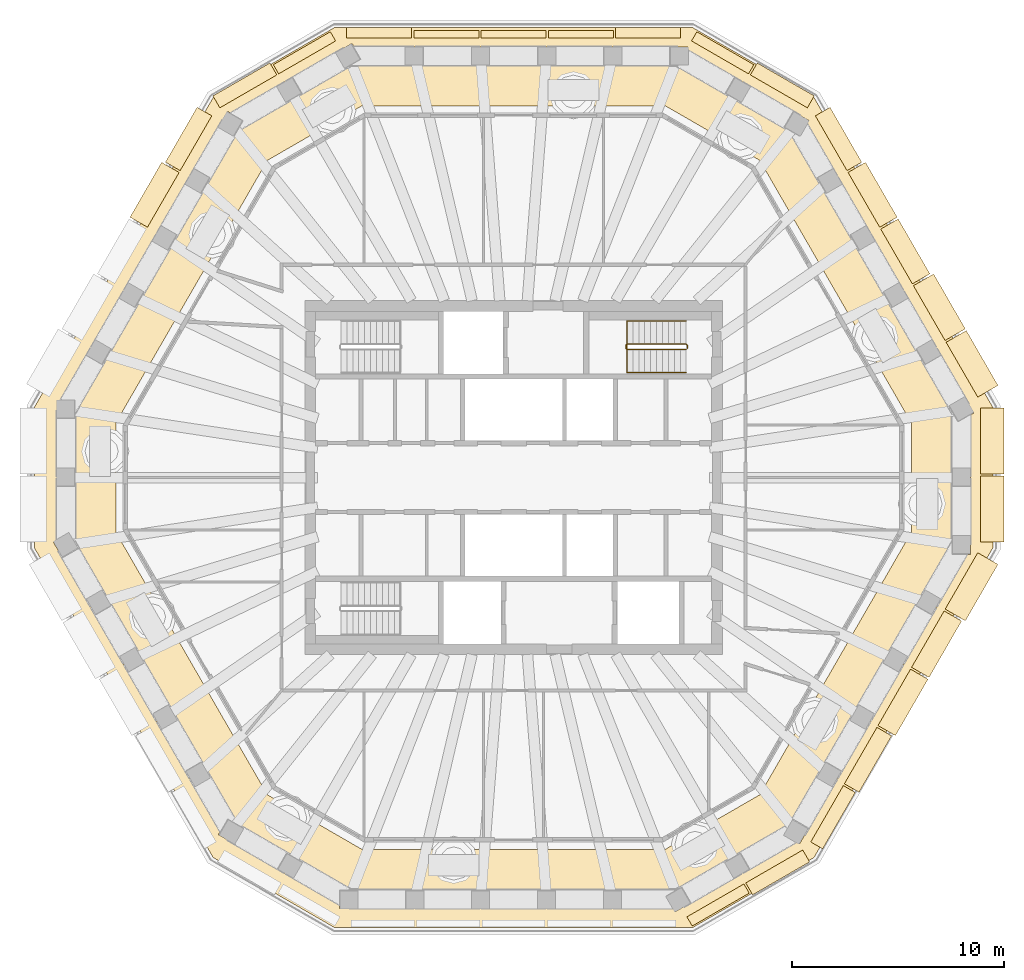
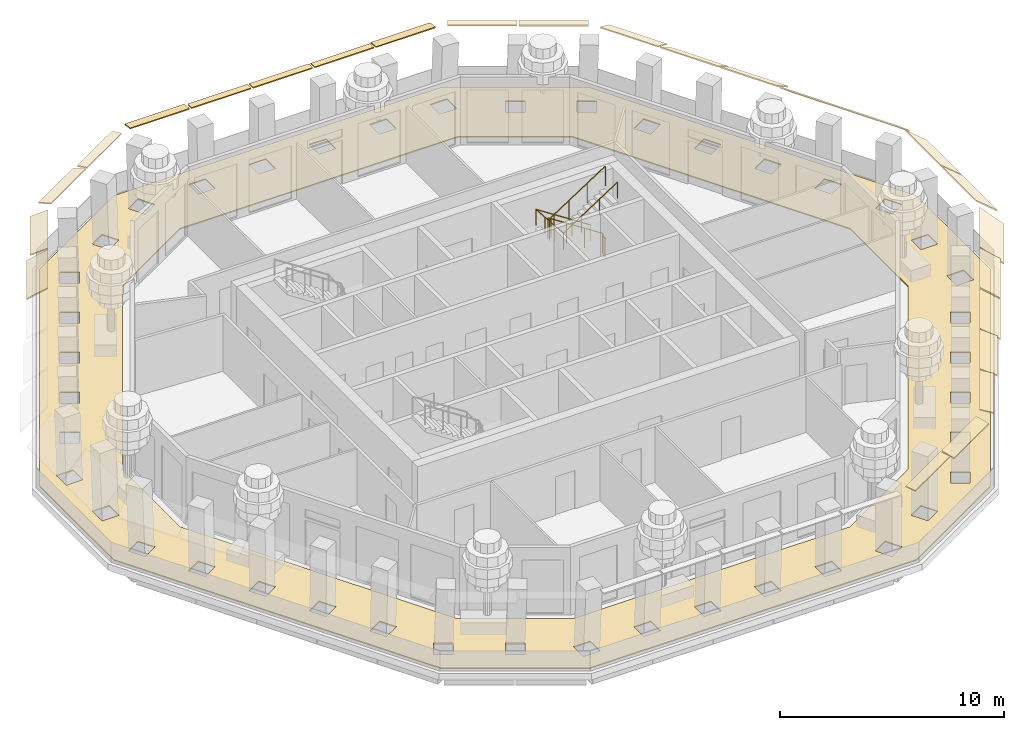
# One storey, part 10 of 13: 26 coverings, 2 railings.
"""IFC4 building model written with IfcOpenShell, lengths in metres."""

from ifc_helpers import new_model, si_unit, direction, frame, origin, origin_2d, place, context, subcontext, project, spatial, polyline, circle, outline, extrude, material, layer, layer_set, type_object, element, save


model = new_model("IFC4")

# Units and contexts
model_context = context("Model", 3, precision=1e-05, world=origin(), true_north=direction((0.0, 1.0)))
body_context = subcontext(model_context, "Body", "Model", "MODEL_VIEW")
ifc_project = project(units=[si_unit("LENGTHUNIT", "METRE"), si_unit("AREAUNIT", "SQUARE_METRE"), si_unit("VOLUMEUNIT", "CUBIC_METRE"), si_unit("PLANEANGLEUNIT", "RADIAN"), si_unit("MASSUNIT", "GRAM", prefix="KILO")], contexts=[model_context])

# Site, building, storey
site_placement = place(None, origin())
site = spatial("IfcSite", under=ifc_project, at=site_placement, CompositionType="ELEMENT")
building_placement = place(site_placement, origin())
building = spatial("IfcBuilding", under=site, at=building_placement, Name="Frailejon Research Tower", CompositionType="ELEMENT")
storey_placement = place(building_placement, frame((0.0, 0.0, 308.60009765625)))
storey = spatial("IfcBuildingStorey", under=building, at=storey_placement, Name="L68", CompositionType="ELEMENT", Elevation=308.60009765625)

# Coverings
ifc_material_1 = material(Name="Precast concrete C50/60", Category="concrete")
ifc_layer_1 = layer(ifc_material_1, 0.06005859375)
ifc_layer_set_1 = layer_set([ifc_layer_1], Name="Brim blade depth 1100")
covering_type_1 = type_object("IfcCoveringType", Name="Brim blade depth 1100", PredefinedType="CLADDING", material=ifc_layer_set_1)
for number, where, z_axis, x_axis, name in (
    (1, (22.050048828125, 0.07568359375, 3.849853515625), (0.0, -1.0, 0.0), (1.0, 0.0, 0.0), "Brim blade L68"),
    (2, (22.050048828125, 3.28173828125, 3.849853515625), (0.0, -1.0, 0.0), (1.0, 0.0, 0.0), "Brim blade L68"),
):
    element("IfcCovering", number, at=place(storey_placement, frame(where, z_axis=z_axis, x_axis=x_axis)), inside=storey, type_object=covering_type_1, Name=name, PredefinedType="CLADDING", context=body_context, shape_type="SweptSolid", body=[
        extrude(outline(polyline([(0.0, -0.078369140625), (1.10009765625, -1.001220703125), (1.10009765625, -0.923095703125), (0.0, 0.0), (0.0, -0.078369140625)])), origin(), (0.0, 0.0, 1.0), 3.106201171875),
    ])
for number, where, z_axis, x_axis, name in (
    (3, (20.418212890625, 6.385986328125, 3.849853515625), (0.499997360743, -0.866026927555, 0.0), (0.866026927555, 0.499997360743, 0.0), "Brim blade L68"),
    (4, (18.875244140625, 9.058349609375, 3.849853515625), (0.500021665056, -0.866012895097, 0.0), (0.866012895097, 0.500021665056, 0.0), "Brim blade L68"),
):
    element("IfcCovering", number, at=place(storey_placement, frame(where, z_axis=z_axis, x_axis=x_axis)), inside=storey, type_object=covering_type_1, Name=name, PredefinedType="CLADDING", context=body_context, shape_type="SweptSolid", body=[
        extrude(outline(polyline([(0.0, -0.078369140625), (1.10009765625, -1.001220703125), (1.10009765625, -0.923095703125), (0.0, 0.0), (0.0, -0.078369140625)])), origin(), (0.0, 0.0, 1.0), 2.98583984375),
    ])
covering_1_placement = place(storey_placement, frame((21.9111328125, -3.548583984375, 3.849853515625), z_axis=(-0.500013457105, -0.866017634182, 0.0), x_axis=(0.866017634182, -0.500013457105, 0.0)))
element("IfcCovering", 5, at=covering_1_placement, inside=storey, type_object=covering_type_1, Name="Brim blade L68", PredefinedType="CLADDING", context=body_context, shape_type="SweptSolid", body=[
    extrude(outline(polyline([(0.0, -0.078369140625), (1.10009765625, -1.001220703125), (1.10009765625, -0.923095703125), (0.0, 0.0), (0.0, -0.078369140625)])), origin(), (0.0, 0.0, 1.0), 3.072998046875),
])
ifc_material_2 = material(Name="Precast concrete C50/60", Category="concrete")
ifc_layer_2 = layer(ifc_material_2, 0.06005859375)
ifc_layer_set_2 = layer_set([ifc_layer_2], Name="Brim blade depth 350")
covering_type_2 = type_object("IfcCoveringType", Name="Brim blade depth 350", PredefinedType="CLADDING", material=ifc_layer_set_2)
for number, where, z_axis, x_axis, name in (
    (6, (1.636474609375, 20.75, 3.849853515625), (1.0, 0.0, 0.0), (0.0, 1.0, 0.0), "Brim blade L68"),
    (7, (-1.53662109375, 20.75, 3.849853515625), (1.0, 0.0, 0.0), (0.0, 1.0, 0.0), "Brim blade L68"),
    (8, (-4.70947265625, 20.75, 3.849853515625), (1.0, 0.0, 0.0), (0.0, 1.0, 0.0), "Brim blade L68"),
):
    element("IfcCovering", number, at=place(storey_placement, frame(where, z_axis=z_axis, x_axis=x_axis)), inside=storey, type_object=covering_type_2, Name=name, PredefinedType="CLADDING", context=body_context, shape_type="SweptSolid", body=[
        extrude(outline(polyline([(0.0, -0.06005859375), (0.35009765625, -0.06005859375), (0.35009765625, 0.0), (0.0, 0.0), (0.0, -0.06005859375)])), origin(), (0.0, 0.0, 1.0), 3.072998046875),
    ])
ifc_material_3 = material(Name="Precast concrete C50/60", Category="concrete")
ifc_layer_3 = layer(ifc_material_3, 0.06005859375)
ifc_layer_set_3 = layer_set([ifc_layer_3], Name="Brim blade depth 500")
covering_type_3 = type_object("IfcCoveringType", Name="Brim blade depth 500", PredefinedType="CLADDING", material=ifc_layer_set_3)
covering_2_placement = place(storey_placement, frame((8.400634765625, 20.611083984375, 3.849853515625), z_axis=(0.86602716254, -0.499996953734, 0.0), x_axis=(0.499996953734, 0.86602716254, 0.0)))
element("IfcCovering", 9, at=covering_2_placement, inside=storey, type_object=covering_type_3, Name="Brim blade L68", PredefinedType="CLADDING", context=body_context, shape_type="SweptSolid", body=[
    extrude(outline(polyline([(0.0, -0.060546875), (0.5, -0.130859375), (0.5, -0.0703125), (0.0, 0.0), (0.0, -0.060546875)])), origin(), (0.0, 0.0, 1.0), 3.10595703125),
])
for number, where, z_axis, x_axis, name in (
    (10, (4.809326171875, 20.75, 3.849853515625), (1.0, 0.0, 0.0), (0.0, 1.0, 0.0), "Brim blade L68"),
    (11, (-7.88232421875, 20.75, 3.849853515625), (1.0, 0.0, 0.0), (0.0, 1.0, 0.0), "Brim blade L68"),
):
    element("IfcCovering", number, at=place(storey_placement, frame(where, z_axis=z_axis, x_axis=x_axis)), inside=storey, type_object=covering_type_3, Name=name, PredefinedType="CLADDING", context=body_context, shape_type="SweptSolid", body=[
        extrude(outline(polyline([(0.0, -0.060546875), (0.5, -0.130859375), (0.5, -0.0703125), (0.0, 0.0), (0.0, -0.060546875)])), origin(), (0.0, 0.0, 1.0), 3.072998046875),
    ])
covering_3_placement = place(storey_placement, frame((-11.090576171875, 19.05810546875, 3.849853515625), z_axis=(0.86602716254, 0.499996953734, 0.0), x_axis=(-0.499996953734, 0.86602716254, 0.0)))
element("IfcCovering", 12, at=covering_3_placement, inside=storey, type_object=covering_type_3, Name="Brim blade L68", PredefinedType="CLADDING", context=body_context, shape_type="SweptSolid", body=[
    extrude(outline(polyline([(0.0, -0.060546875), (0.5, -0.130859375), (0.5, -0.0703125), (0.0, 0.0), (0.0, -0.060546875)])), origin(), (0.0, 0.0, 1.0), 3.10595703125),
])
covering_4_placement = place(storey_placement, frame((10.872802734375, -19.183837890625, 3.849853515625), z_axis=(-0.866034959906, -0.499983447946, 0.0), x_axis=(0.499983447946, -0.866034959906, 0.0)))
element("IfcCovering", 13, at=covering_4_placement, inside=storey, type_object=covering_type_3, Name="Brim blade L68", PredefinedType="CLADDING", context=body_context, shape_type="SweptSolid", body=[
    extrude(outline(polyline([(0.0, -0.060546875), (0.5, -0.130859375), (0.5, -0.0703125), (0.0, 0.0), (0.0, -0.060546875)])), origin(), (0.0, 0.0, 1.0), 3.106201171875),
])
ifc_material_4 = material(Name="Precast concrete C50/60", Category="concrete")
ifc_layer_4 = layer(ifc_material_4, 0.06005859375)
ifc_layer_set_4 = layer_set([ifc_layer_4], Name="Brim blade depth 650")
covering_type_4 = type_object("IfcCoveringType", Name="Brim blade depth 650", PredefinedType="CLADDING", material=ifc_layer_set_4)
for number, where, z_axis, x_axis, name in (
    (14, (11.17724609375, 19.008056640625, 3.849853515625), (0.86601365609, -0.500020347052, 0.0), (0.500020347052, 0.86601365609, 0.0), "Brim blade L68"),
    (15, (-13.8671875, 17.455078125, 3.849853515625), (0.86601365609, 0.500020347052, 0.0), (-0.500020347052, 0.86601365609, 0.0), "Brim blade L68"),
    (16, (13.6494140625, -17.580810546875, 3.849853515625), (-0.86601365609, -0.500020347052, 0.0), (0.500020347052, -0.86601365609, 0.0), "Brim blade L68"),
):
    element("IfcCovering", number, at=place(storey_placement, frame(where, z_axis=z_axis, x_axis=x_axis)), inside=storey, type_object=covering_type_4, Name=name, PredefinedType="CLADDING", context=body_context, shape_type="SweptSolid", body=[
        extrude(outline(polyline([(0.0, -0.0625), (0.64990234375, -0.248779296875), (0.64990234375, -0.186279296875), (0.0, 0.0), (0.0, -0.0625)])), origin(), (0.0, 0.0, 1.0), 3.106201171875),
    ])
covering_5_placement = place(storey_placement, frame((15.565185546875, -14.5400390625, 3.849853515625), z_axis=(-0.500013457105, -0.866017634182, 0.0), x_axis=(0.866017634182, -0.500013457105, 0.0)))
element("IfcCovering", 17, at=covering_5_placement, inside=storey, type_object=covering_type_4, Name="Brim blade L68", PredefinedType="CLADDING", context=body_context, shape_type="SweptSolid", body=[
    extrude(outline(polyline([(0.0, -0.0625), (0.64990234375, -0.248779296875), (0.64990234375, -0.186279296875), (0.0, 0.0), (0.0, -0.0625)])), origin(), (0.0, 0.0, 1.0), 3.072998046875),
])
ifc_material_5 = material(Name="Precast concrete C50/60", Category="concrete")
ifc_layer_5 = layer(ifc_material_5, 0.06005859375)
ifc_layer_set_5 = layer_set([ifc_layer_5], Name="Brim blade depth 800")
covering_type_5 = type_object("IfcCoveringType", Name="Brim blade depth 800", PredefinedType="CLADDING", material=ifc_layer_set_5)
for number, where, z_axis, x_axis, name in (
    (18, (14.24658203125, 17.07568359375, 3.849853515625), (0.500021665056, -0.866012895097, 0.0), (0.866012895097, 0.500021665056, 0.0), "Brim blade L68"),
    (19, (-15.739501953125, 14.48974609375, 3.849853515625), (0.500021665056, 0.866012895097, 0.0), (-0.866012895097, 0.500021665056, 0.0), "Brim blade L68"),
):
    element("IfcCovering", number, at=place(storey_placement, frame(where, z_axis=z_axis, x_axis=x_axis)), inside=storey, type_object=covering_type_5, Name=name, PredefinedType="CLADDING", context=body_context, shape_type="SweptSolid", body=[
        extrude(outline(polyline([(0.0, -0.065673828125), (0.800048828125, -0.421875), (0.800048828125, -0.356201171875), (0.0, 0.0), (0.0, -0.065673828125)])), origin(), (0.0, 0.0, 1.0), 2.98583984375),
    ])
covering_6_placement = place(storey_placement, frame((17.15185546875, -11.792236328125, 3.849853515625), z_axis=(-0.499999809775, -0.866025513611, 0.0), x_axis=(0.866025513611, -0.499999809775, 0.0)))
element("IfcCovering", 20, at=covering_6_placement, inside=storey, type_object=covering_type_5, Name="Brim blade L68", PredefinedType="CLADDING", context=body_context, shape_type="SweptSolid", body=[
    extrude(outline(polyline([(0.0, -0.065673828125), (0.800048828125, -0.421875), (0.800048828125, -0.356201171875), (0.0, 0.0), (0.0, -0.065673828125)])), origin(), (0.0, 0.0, 1.0), 3.072998046875),
])
ifc_material_6 = material(Name="Precast concrete C50/60", Category="concrete")
ifc_layer_6 = layer(ifc_material_6, 0.06005859375)
ifc_layer_set_6 = layer_set([ifc_layer_6], Name="Brim blade depth 950")
covering_type_6 = type_object("IfcCoveringType", Name="Brim blade depth 950", PredefinedType="CLADDING", material=ifc_layer_set_6)
for number, where, z_axis, x_axis, name in (
    (21, (17.33251953125, 11.730712890625, 3.849853515625), (0.499983328817, -0.866035028683, 0.0), (0.866035028683, 0.499983328817, 0.0), "Brim blade L68"),
    (22, (15.78955078125, 14.4033203125, 3.849853515625), (0.499997360743, -0.866026927555, 0.0), (0.866026927555, 0.499997360743, 0.0), "Brim blade L68"),
    (23, (-17.282470703125, 11.8173828125, 3.849853515625), (0.499997360743, 0.866026927555, 0.0), (-0.866026927555, 0.499997360743, 0.0), "Brim blade L68"),
):
    element("IfcCovering", number, at=place(storey_placement, frame(where, z_axis=z_axis, x_axis=x_axis)), inside=storey, type_object=covering_type_6, Name=name, PredefinedType="CLADDING", context=body_context, shape_type="SweptSolid", body=[
        extrude(outline(polyline([(0.0, -0.07080078125), (0.949951171875, -0.664306640625), (0.949951171875, -0.593505859375), (0.0, 0.0), (0.0, -0.07080078125)])), origin(), (0.0, 0.0, 1.0), 2.98583984375),
    ])
for number, where, z_axis, x_axis, name in (
    (24, (18.73828125, -9.04443359375, 3.849853515625), (-0.499989818873, -0.866031281781, 0.0), (0.866031281781, -0.499989818873, 0.0), "Brim blade L68"),
    (25, (20.32470703125, -6.29638671875, 3.849853515625), (-0.499999809775, -0.866025513611, 0.0), (0.866025513611, -0.499999809775, 0.0), "Brim blade L68"),
):
    element("IfcCovering", number, at=place(storey_placement, frame(where, z_axis=z_axis, x_axis=x_axis)), inside=storey, type_object=covering_type_6, Name=name, PredefinedType="CLADDING", context=body_context, shape_type="SweptSolid", body=[
        extrude(outline(polyline([(0.0, -0.07080078125), (0.949951171875, -0.664306640625), (0.949951171875, -0.593505859375), (0.0, 0.0), (0.0, -0.07080078125)])), origin(), (0.0, 0.0, 1.0), 3.072998046875),
    ])
ifc_material_7 = material(Name="Bituminous roofing membrane with gravel ballast")
ifc_layer_7 = layer(ifc_material_7, 0.06005859375)
ifc_layer_set_7 = layer_set([ifc_layer_7], Name="Roofing membrane and ballast 60")
covering_type_7 = type_object("IfcCoveringType", Name="Roofing membrane and ballast 60", PredefinedType="ROOFING", material=ifc_layer_set_7)
covering_7_placement = place(storey_placement, origin())
element("IfcCovering", 26, at=covering_7_placement, inside=storey, type_object=covering_type_7, Name="Roofing Setback terrace slab L68", PredefinedType="ROOFING", context=body_context, shape_type="SweptSolid", body=[
    extrude(outline(polyline([(14.182373046875, -17.935546875), (22.623779296875, -3.314453125), (22.623779296875, 3.314453125), (14.182373046875, 17.935546875), (8.44140625, 21.25), (-8.44140625, 21.25), (-14.182373046875, 17.935546875), (-22.623779296875, 3.314453125), (-22.623779296875, -3.314453125), (-14.182373046875, -17.935546875), (-8.44140625, -21.25), (8.44140625, -21.25), (14.182373046875, -17.935546875)]), holes=[polyline([(18.777587890625, 2.576416015625), (18.777587890625, -2.576416015625), (11.6201171875, -14.9736328125), (7.15771484375, -17.550048828125), (-7.15771484375, -17.550048828125), (-11.6201171875, -14.9736328125), (-18.777587890625, -2.576416015625), (-18.777587890625, 2.576416015625), (-11.6201171875, 14.9736328125), (-7.15771484375, 17.550048828125), (7.15771484375, 17.550048828125), (11.6201171875, 14.9736328125), (18.777587890625, 2.576416015625)]), polyline([(20.96875, 2.612060546875), (20.535400390625, 3.361328125), (20.540771484375, 3.37060546875), (21.287353515625, 3.802001953125), (21.720703125, 3.052734375), (21.71533203125, 3.04345703125), (20.96875, 2.612060546875)]), polyline([(21.55859375, -3.640869140625), (20.693115234375, -3.64111328125), (20.692138671875, -2.77880859375), (20.697509765625, -2.76953125), (21.56298828125, -2.769287109375), (21.56396484375, -3.631591796875), (21.55859375, -3.640869140625)]), polyline([(20.693115234375, -0.434814453125), (20.692138671875, 0.42724609375), (20.697509765625, 0.4365234375), (21.56298828125, 0.436767578125), (21.56396484375, -0.42529296875), (21.55859375, -0.434814453125), (20.693115234375, -0.434814453125)]), polyline([(20.1591796875, -5.753173828125), (19.729248046875, -6.497802734375), (18.975830078125, -6.062744140625), (18.981689453125, -6.052978515625), (19.41162109375, -5.308349609375), (20.164794921875, -5.743408203125), (20.1591796875, -5.753173828125)]), polyline([(20.156982421875, 5.739990234375), (19.4111328125, 5.3095703125), (18.977294921875, 6.060302734375), (18.984619140625, 6.068603515625), (19.73046875, 6.4990234375), (20.1640625, 5.748291015625), (20.156982421875, 5.739990234375)]), polyline([(17.853515625, 8.007080078125), (17.419189453125, 8.759521484375), (17.42822265625, 8.766357421875), (18.173095703125, 9.1962890625), (18.607666015625, 8.444091796875), (18.598388671875, 8.437255859375), (17.853515625, 8.007080078125)]), polyline([(18.177490234375, -9.186279296875), (18.17236328125, -9.1953125), (17.41845703125, -8.760986328125), (17.847900390625, -8.015869140625), (17.85302734375, -8.0068359375), (18.60693359375, -8.44091796875), (18.177490234375, -9.186279296875)]), polyline([(16.295654296875, 10.70556640625), (15.861083984375, 11.4580078125), (16.60595703125, 11.88818359375), (16.616455078125, 11.892822265625), (17.051025390625, 11.140380859375), (16.30615234375, 10.710205078125), (16.295654296875, 10.70556640625)]), polyline([(16.61474609375, -11.893310546875), (15.86083984375, -11.458984375), (16.290283203125, -10.7138671875), (16.29541015625, -10.70458984375), (17.04931640625, -11.138916015625), (16.6201171875, -11.88427734375), (16.61474609375, -11.893310546875)]), polyline([(14.74755859375, 13.40673828125), (14.737060546875, 13.40478515625), (14.3037109375, 14.15576171875), (15.0498046875, 14.58642578125), (15.060302734375, 14.58837890625), (15.493408203125, 13.83740234375), (14.74755859375, 13.40673828125)]), polyline([(15.056396484375, -14.591796875), (14.302978515625, -14.156494140625), (14.30859375, -14.146728515625), (14.738525390625, -13.40234375), (15.491943359375, -13.83740234375), (15.486083984375, -13.84716796875), (15.056396484375, -14.591796875)]), polyline([(13.492919921875, 16.103271484375), (12.746337890625, 16.534912109375), (13.17919921875, 17.284423828125), (13.18994140625, 17.284423828125), (13.936279296875, 16.85302734375), (13.50341796875, 16.103271484375), (13.492919921875, 16.103271484375)]), polyline([(13.5048828125, -17.279296875), (13.498779296875, -17.289794921875), (12.7451171875, -16.85498046875), (13.1748046875, -16.110595703125), (13.180908203125, -16.10009765625), (13.934326171875, -16.53466796875), (13.5048828125, -17.279296875)]), polyline([(10.71630859375, 17.706298828125), (9.969970703125, 18.137939453125), (10.402587890625, 18.8876953125), (10.413330078125, 18.8876953125), (11.159912109375, 18.4560546875), (10.72705078125, 17.706298828125), (10.71630859375, 17.706298828125)]), polyline([(11.150390625, -18.4619140625), (10.40380859375, -18.892822265625), (9.970703125, -18.143310546875), (9.97607421875, -18.134033203125), (10.722900390625, -17.703125), (11.156005859375, -18.45263671875), (11.150390625, -18.4619140625)]), polyline([(7.627197265625, -20.495849609375), (7.194091796875, -19.746337890625), (7.199462890625, -19.737060546875), (7.9462890625, -19.30615234375), (8.37939453125, -20.0556640625), (8.373779296875, -20.064697265625), (7.627197265625, -20.495849609375)]), polyline([(7.3525390625, 20.3349609375), (8.22412109375, 20.3349609375), (8.22412109375, 19.465087890625), (7.3525390625, 19.465087890625), (7.3525390625, 20.3349609375)]), polyline([(4.2373046875, 20.3349609375), (5.1083984375, 20.3349609375), (5.1083984375, 19.465087890625), (4.2373046875, 19.465087890625), (4.2373046875, 20.3349609375)]), polyline([(5.107421875, -20.32666015625), (5.103759765625, -20.3369140625), (4.236572265625, -20.33642578125), (4.23681640625, -19.47509765625), (4.240234375, -19.465087890625), (5.107421875, -19.46533203125), (5.107421875, -20.32666015625)]), polyline([(1.992919921875, 20.3349609375), (1.992919921875, 19.465087890625), (1.122314453125, 19.465087890625), (1.122314453125, 20.3349609375), (1.992919921875, 20.3349609375)]), polyline([(1.122314453125, -20.336669921875), (1.1220703125, -19.4765625), (1.123291015625, -19.46533203125), (1.9921875, -19.465087890625), (1.992431640625, -20.3251953125), (1.9912109375, -20.336669921875), (1.122314453125, -20.336669921875)]), polyline([(-1.122314453125, -20.336669921875), (-1.9912109375, -20.336669921875), (-1.992431640625, -20.3251953125), (-1.9921875, -19.465087890625), (-1.123291015625, -19.46533203125), (-1.1220703125, -19.4765625), (-1.122314453125, -20.336669921875)]), polyline([(-1.122314453125, 20.3349609375), (-1.122314453125, 19.465087890625), (-1.992919921875, 19.465087890625), (-1.992919921875, 20.3349609375), (-1.122314453125, 20.3349609375)]), polyline([(-4.236572265625, -20.33642578125), (-5.103759765625, -20.3369140625), (-5.107421875, -20.32666015625), (-5.107421875, -19.46533203125), (-4.240234375, -19.465087890625), (-4.23681640625, -19.47509765625), (-4.236572265625, -20.33642578125)]), polyline([(-5.1083984375, 20.3349609375), (-4.2373046875, 20.3349609375), (-4.2373046875, 19.465087890625), (-5.1083984375, 19.465087890625), (-5.1083984375, 20.3349609375)]), polyline([(-7.939697265625, 19.309326171875), (-7.950439453125, 19.309326171875), (-8.38330078125, 20.05908203125), (-7.63671875, 20.490478515625), (-7.626220703125, 20.490478515625), (-7.193359375, 19.740966796875), (-7.939697265625, 19.309326171875)]), polyline([(-8.216796875, -20.3369140625), (-8.222412109375, -20.32763671875), (-8.221923828125, -19.46533203125), (-7.3564453125, -19.465087890625), (-7.35107421875, -19.474365234375), (-7.351318359375, -20.336669921875), (-8.216796875, -20.3369140625)]), polyline([(-10.72705078125, 17.706298828125), (-11.159912109375, 18.4560546875), (-10.413330078125, 18.8876953125), (-10.402587890625, 18.8876953125), (-9.969970703125, 18.137939453125), (-10.71630859375, 17.706298828125), (-10.72705078125, 17.706298828125)]), polyline([(-10.40380859375, -18.892822265625), (-11.150390625, -18.4619140625), (-11.156005859375, -18.45263671875), (-10.722900390625, -17.703125), (-9.97607421875, -18.134033203125), (-9.970703125, -18.143310546875), (-10.40380859375, -18.892822265625)]), polyline([(-13.178955078125, 16.103515625), (-13.189453125, 16.103515625), (-13.936279296875, 16.534423828125), (-13.50390625, 17.284423828125), (-13.4931640625, 17.284423828125), (-12.74658203125, 16.853271484375), (-13.178955078125, 16.103515625)]), polyline([(-12.747314453125, -16.540283203125), (-13.18017578125, -17.289794921875), (-13.927001953125, -16.858642578125), (-13.932373046875, -16.849609375), (-13.499267578125, -16.10009765625), (-12.75244140625, -16.531005859375), (-12.747314453125, -16.540283203125)]), polyline([(-14.302978515625, -14.156494140625), (-15.056396484375, -14.591796875), (-15.486083984375, -13.84716796875), (-15.491943359375, -13.83740234375), (-14.738525390625, -13.40234375), (-14.30859375, -14.146728515625), (-14.302978515625, -14.156494140625)]), polyline([(-14.3037109375, 14.15576171875), (-14.737060546875, 13.40478515625), (-14.74755859375, 13.40673828125), (-15.493408203125, 13.83740234375), (-15.060302734375, 14.58837890625), (-15.0498046875, 14.58642578125), (-14.3037109375, 14.15576171875)]), polyline([(-15.86083984375, -11.458984375), (-16.61474609375, -11.893310546875), (-16.6201171875, -11.88427734375), (-17.04931640625, -11.138916015625), (-16.29541015625, -10.70458984375), (-16.290283203125, -10.7138671875), (-15.86083984375, -11.458984375)]), polyline([(-15.861083984375, 11.4580078125), (-16.295654296875, 10.70556640625), (-16.30615234375, 10.710205078125), (-17.051025390625, 11.140380859375), (-16.616455078125, 11.892822265625), (-16.60595703125, 11.88818359375), (-15.861083984375, 11.4580078125)]), polyline([(-18.17236328125, -9.1953125), (-18.177490234375, -9.186279296875), (-18.60693359375, -8.44091796875), (-17.85302734375, -8.0068359375), (-17.847900390625, -8.015869140625), (-17.41845703125, -8.760986328125), (-18.17236328125, -9.1953125)]), polyline([(-17.853515625, 8.007080078125), (-18.598388671875, 8.437255859375), (-18.607666015625, 8.444091796875), (-18.173095703125, 9.1962890625), (-17.42822265625, 8.766357421875), (-17.419189453125, 8.759521484375), (-17.853515625, 8.007080078125)]), polyline([(-19.729248046875, -6.497802734375), (-20.1591796875, -5.753173828125), (-20.164794921875, -5.743408203125), (-19.41162109375, -5.308349609375), (-18.981689453125, -6.052978515625), (-18.975830078125, -6.062744140625), (-19.729248046875, -6.497802734375)]), polyline([(-19.4111328125, 5.3095703125), (-20.156982421875, 5.739990234375), (-20.1640625, 5.748291015625), (-19.73046875, 6.4990234375), (-18.984619140625, 6.068603515625), (-18.977294921875, 6.060302734375), (-19.4111328125, 5.3095703125)]), polyline([(-20.533447265625, -3.365234375), (-21.287109375, -3.800048828125), (-21.293212890625, -3.78955078125), (-21.72265625, -3.045166015625), (-20.968994140625, -2.6103515625), (-20.962890625, -2.620849609375), (-20.533447265625, -3.365234375)]), polyline([(-20.692138671875, 0.42724609375), (-20.693115234375, -0.434814453125), (-21.55859375, -0.434814453125), (-21.56396484375, -0.42529296875), (-21.56298828125, 0.436767578125), (-20.697509765625, 0.4365234375), (-20.692138671875, 0.42724609375)]), polyline([(-20.692138671875, 3.63330078125), (-20.693115234375, 2.771240234375), (-21.55859375, 2.771484375), (-21.56396484375, 2.78076171875), (-21.56298828125, 3.642822265625), (-20.697509765625, 3.642578125), (-20.692138671875, 3.63330078125)])]), origin(), (0.0, 0.0, 1.0), 0.059814453125),
])

# Railings
ifc_material_8 = material(Name="Stainless steel", Category="steel")
railing_type_1 = type_object("IfcRailingType", Name="Stair guard 1100", PredefinedType="GUARDRAIL", material=ifc_material_8)
railing_1_placement = place(storey_placement, frame((8.199951171875, 6.10009765625, 0.0)))
element("IfcRailing", 27, at=railing_1_placement, inside=storey, type_object=railing_type_1, Name="L68 ST3 stair guard 1", PredefinedType="GUARDRAIL", context=body_context, shape_type="SweptSolid", body=[
    extrude(circle(Radius=0.02392578125, at=origin_2d()), frame((0.0, 0.0, 1.076171875), z_axis=(0.0, 1.0, 0.0), x_axis=(-1.0, 0.0, 0.0)), (0.0, 0.0, 1.0), 0.14990234375),
    extrude(circle(Radius=0.02392578125, at=origin_2d()), frame((0.0, 0.14990234375, 1.076171875), z_axis=(-0.256734642926, 0.256734642926, 0.931758899203), x_axis=(-0.707106781187, -0.707106781187, 0.0)), (0.0, 0.0, 1.0), 0.19482421875),
    extrude(circle(Radius=0.02392578125, at=origin_2d()), frame((-0.050048828125, 0.199951171875, 1.2578125), z_axis=(-0.838650734948, 0.0, 0.544669573936), x_axis=(0.0, -1.0, 0.0)), (0.0, 0.0, 1.0), 3.33837890625),
    extrude(circle(Radius=0.02392578125, at=origin_2d()), frame((-2.849853515625, 0.199951171875, 3.076171875), z_axis=(-0.707106781187, -0.707106781187, 0.0), x_axis=(0.707106781187, -0.707106781187, 0.0)), (0.0, 0.0, 1.0), 0.07080078125),
    extrude(circle(Radius=0.02392578125, at=origin_2d()), frame((-2.89990234375, 0.14990234375, 3.076171875), z_axis=(0.0, -1.0, 0.0), x_axis=(1.0, 0.0, 0.0)), (0.0, 0.0, 1.0), 0.14990234375),
    extrude(circle(Radius=0.02392578125, at=origin_2d()), frame((-2.89990234375, 0.0, 3.076171875), z_axis=(0.256734642926, -0.256734642926, 0.931758899203), x_axis=(0.707106781187, 0.707106781187, 0.0)), (0.0, 0.0, 1.0), 0.19482421875),
    extrude(circle(Radius=0.02392578125, at=origin_2d()), frame((-2.849853515625, -0.050048828125, 3.2578125), z_axis=(0.838650734948, 0.0, 0.544669573936), x_axis=(0.0, 1.0, 0.0)), (0.0, 0.0, 1.0), 3.33837890625),
    extrude(circle(Radius=0.02099609375, at=origin_2d()), origin(), (0.0, 0.0, 1.0), 1.052001953125),
    extrude(circle(Radius=0.02099609375, at=origin_2d()), frame((0.0, 0.14990234375, 0.0)), (0.0, 0.0, 1.0), 1.052001953125),
    extrude(circle(Radius=0.02099609375, at=origin_2d()), frame((-0.050048828125, 0.199951171875, 0.181640625)), (0.0, 0.0, 1.0), 1.052001953125),
    extrude(circle(Radius=0.02099609375, at=origin_2d()), frame((-0.9833984375, 0.199951171875, 0.787841796875)), (0.0, 0.0, 1.0), 1.052001953125),
    extrude(circle(Radius=0.02099609375, at=origin_2d()), frame((-1.91650390625, 0.199951171875, 1.393798828125)), (0.0, 0.0, 1.0), 1.052001953125),
    extrude(circle(Radius=0.02099609375, at=origin_2d()), frame((-2.849853515625, 0.199951171875, 2.0)), (0.0, 0.0, 1.0), 1.052001953125),
    extrude(circle(Radius=0.02099609375, at=origin_2d()), frame((-2.89990234375, 0.14990234375, 2.0)), (0.0, 0.0, 1.0), 1.052001953125),
    extrude(circle(Radius=0.02099609375, at=origin_2d()), frame((-2.89990234375, 0.0, 2.0)), (0.0, 0.0, 1.0), 1.052001953125),
    extrude(circle(Radius=0.02099609375, at=origin_2d()), frame((-2.849853515625, -0.050048828125, 2.181640625)), (0.0, 0.0, 1.0), 1.052001953125),
    extrude(circle(Radius=0.02099609375, at=origin_2d()), frame((-1.91650390625, -0.050048828125, 2.787841796875)), (0.0, 0.0, 1.0), 1.052001953125),
    extrude(circle(Radius=0.02099609375, at=origin_2d()), frame((-0.9833984375, -0.050048828125, 3.393798828125)), (0.0, 0.0, 1.0), 1.052001953125),
    extrude(circle(Radius=0.02099609375, at=origin_2d()), frame((-0.050048828125, -0.050048828125, 4.0)), (0.0, 0.0, 1.0), 1.052001953125),
])
ifc_material_9 = material(Name="Stainless steel", Category="steel")
railing_type_2 = type_object("IfcRailingType", Name="Stair handrail 900", PredefinedType="HANDRAIL", material=ifc_material_9)
railing_2_placement = place(storey_placement, frame((8.14990234375, 7.39990234375, 0.181640625)))
element("IfcRailing", 28, at=railing_2_placement, inside=storey, type_object=railing_type_2, Name="L68 ST3 stair handrail 1", PredefinedType="HANDRAIL", context=body_context, shape_type="SweptSolid", body=[
    extrude(circle(Radius=0.02392578125, at=origin_2d()), frame((0.0, 0.0, 0.8759765625), z_axis=(-0.838650734948, 0.0, 0.544669573936), x_axis=(0.0, -1.0, 0.0)), (0.0, 0.0, 1.0), 3.33837890625),
    extrude(circle(Radius=0.02392578125, at=origin_2d()), frame((-2.7998046875, 0.0, 2.6943359375), z_axis=(0.0, -0.997262871482, 0.073937576122), x_axis=(1.0, 0.0, 0.0)), (0.0, 0.0, 1.0), 2.456787109375),
    extrude(circle(Radius=0.02392578125, at=origin_2d()), frame((-2.7998046875, -2.449951171875, 2.8759765625), z_axis=(0.838650734948, 0.0, 0.544669573936), x_axis=(0.0, 1.0, 0.0)), (0.0, 0.0, 1.0), 3.33837890625),
    extrude(circle(Radius=0.02099609375, at=origin_2d()), origin(), (0.0, 0.0, 1.0), 0.851806640625),
    extrude(circle(Radius=0.02099609375, at=origin_2d()), frame((-0.933349609375, 0.0, 0.606201171875)), (0.0, 0.0, 1.0), 0.851806640625),
    extrude(circle(Radius=0.02099609375, at=origin_2d()), frame((-1.866455078125, 0.0, 1.212158203125)), (0.0, 0.0, 1.0), 0.851806640625),
    extrude(circle(Radius=0.02099609375, at=origin_2d()), frame((-2.7998046875, 0.0, 1.818359375)), (0.0, 0.0, 1.0), 0.851806640625),
    extrude(circle(Radius=0.02099609375, at=origin_2d()), frame((-2.7998046875, -0.816650390625, 1.87890625)), (0.0, 0.0, 1.0), 0.851806640625),
    extrude(circle(Radius=0.02099609375, at=origin_2d()), frame((-2.7998046875, -1.63330078125, 1.939453125)), (0.0, 0.0, 1.0), 0.851806640625),
    extrude(circle(Radius=0.02099609375, at=origin_2d()), frame((-2.7998046875, -2.449951171875, 2.0)), (0.0, 0.0, 1.0), 0.851806640625),
    extrude(circle(Radius=0.02099609375, at=origin_2d()), frame((-1.866455078125, -2.449951171875, 2.606201171875)), (0.0, 0.0, 1.0), 0.851806640625),
    extrude(circle(Radius=0.02099609375, at=origin_2d()), frame((-0.933349609375, -2.449951171875, 3.212158203125)), (0.0, 0.0, 1.0), 0.851806640625),
    extrude(circle(Radius=0.02099609375, at=origin_2d()), frame((0.0, -2.449951171875, 3.818359375)), (0.0, 0.0, 1.0), 0.851806640625),
])

save(model, "model.ifc")
